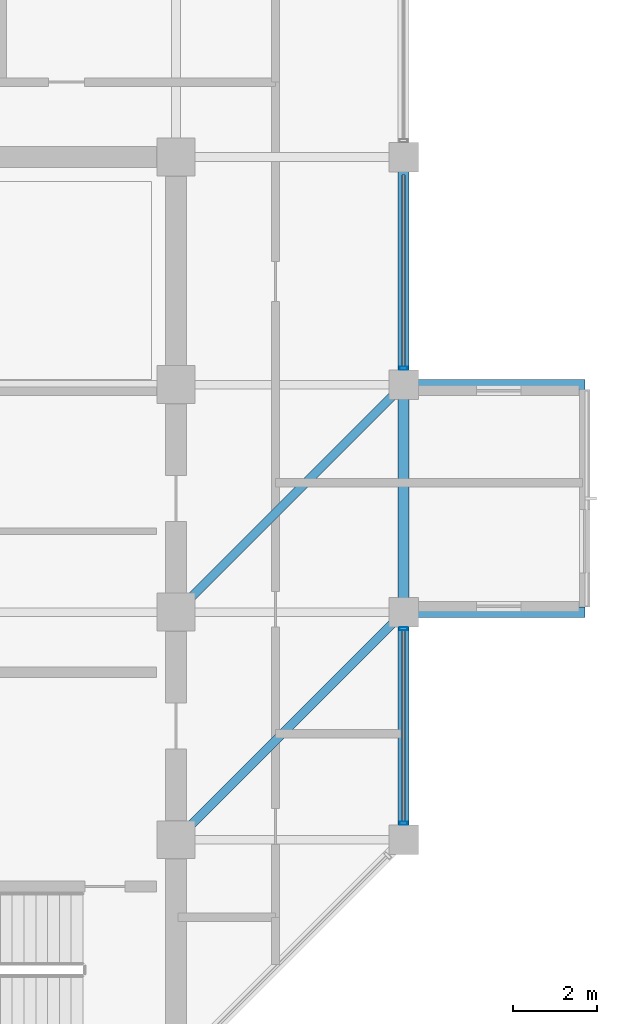
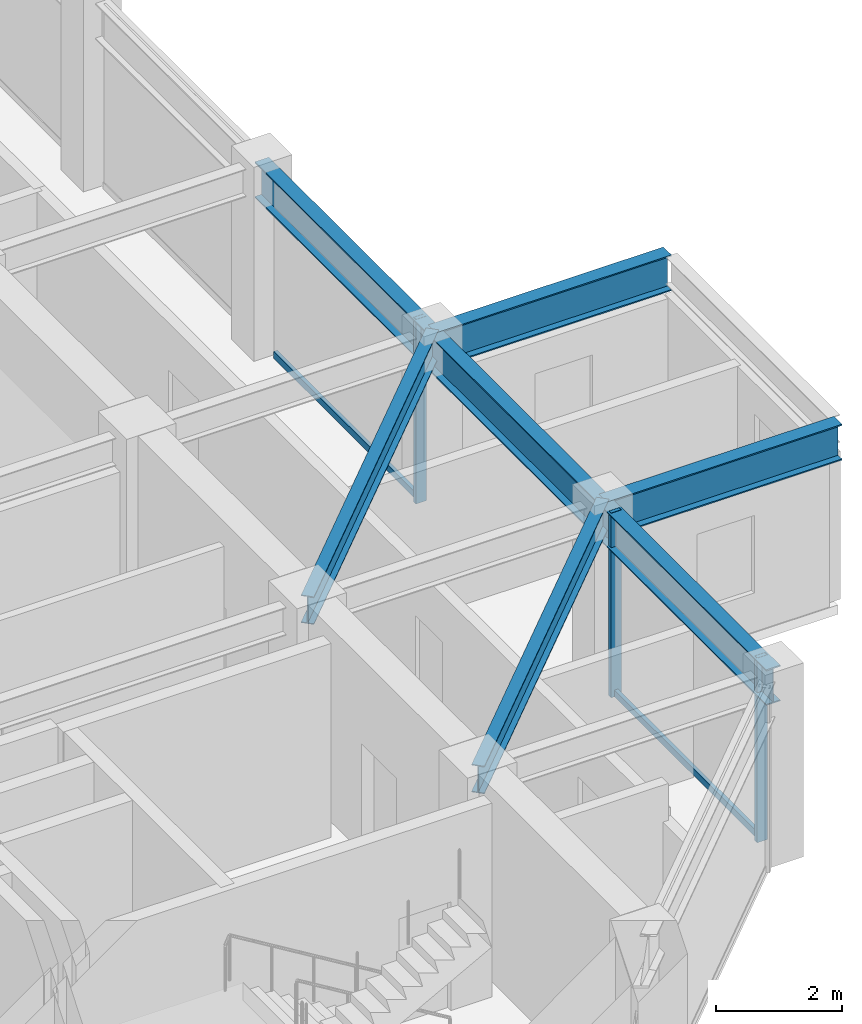
# One storey, part 11 of 30: 7 beams, 5 members, 2 elements without a shape of their own.
"""IFC4 building model written with IfcOpenShell, lengths in metres."""

from ifc_helpers import new_model, si_unit, direction, frame, origin, origin_2d, place, context, subcontext, project, spatial, hollow_rectangle, i_section, extrude, material, layer, layer_set, material_profile, profile_set, type_object, element, aggregate, save


model = new_model("IFC4")

# Units and contexts
model_context = context("Model", 3, precision=1e-05, world=origin(), true_north=direction((0.0, 1.0)))
body_context = subcontext(model_context, "Body", "Model", "MODEL_VIEW")
ifc_project = project(units=[si_unit("LENGTHUNIT", "METRE"), si_unit("AREAUNIT", "SQUARE_METRE"), si_unit("VOLUMEUNIT", "CUBIC_METRE"), si_unit("PLANEANGLEUNIT", "RADIAN"), si_unit("MASSUNIT", "GRAM", prefix="KILO")], contexts=[model_context])

# Site, building, storey
site_placement = place(None, origin())
site = spatial("IfcSite", under=ifc_project, at=site_placement, CompositionType="ELEMENT")
building_placement = place(site_placement, origin())
building = spatial("IfcBuilding", under=site, at=building_placement, Name="Surkhivell Harbour Commons", CompositionType="ELEMENT")
storey_placement = place(building_placement, frame((0.0, 0.0, 307.5)))
storey = spatial("IfcBuildingStorey", under=building, at=storey_placement, Name="L80", CompositionType="ELEMENT", Elevation=307.5)

# Beams
ifc_material_1 = material(Name="Steel S460", Category="steel")
ifc_material_profile_1 = material_profile(ifc_material_1, i_section(OverallWidth=0.256103515625, OverallDepth=0.693115234375, WebThickness=0.014404296875, FlangeThickness=0.023681640625, at=origin_2d()), Name="UB686x254x170")
ifc_profile_set_1 = profile_set([ifc_material_profile_1], Name="Steel S460")
beam_type_1 = type_object("IfcBeamType", Name="BM-CNT-686", PredefinedType="BEAM", material=ifc_profile_set_1)
for number, where, z_axis, x_axis, name in (
    (1, (16.199951171875, 0.0, 3.223388671875), (1.0, 0.0, 0.0), (0.0, 1.0, 0.0), "L80 Box Cantilever Outrigger (16.2,0.0)"),
    (2, (16.199951171875, 5.39990234375, 3.223388671875), (1.0, 0.0, 0.0), (0.0, 1.0, 0.0), "L80 Box Cantilever Outrigger (16.2,5.4)"),
):
    element("IfcBeam", number, at=place(storey_placement, frame(where, z_axis=z_axis, x_axis=x_axis)), inside=storey, type_object=beam_type_1, Name=name, PredefinedType="BEAM", context=body_context, shape_type="SweptSolid", body=[
        extrude(i_section(OverallWidth=0.256103515625, OverallDepth=0.693115234375, WebThickness=0.014404296875, FlangeThickness=0.023681640625, at=origin_2d()), origin(), (0.0, 0.0, 1.0), 4.300048828125),
    ])
ifc_material_2 = material(Name="Steel S355", Category="steel")
ifc_material_profile_2 = material_profile(ifc_material_2, i_section(OverallWidth=0.2099609375, OverallDepth=0.537109375, WebThickness=0.0107421875, FlangeThickness=0.017333984375, at=origin_2d()), Name="UB533x210x101")
ifc_profile_set_2 = profile_set([ifc_material_profile_2], Name="Steel S355")
beam_type_2 = type_object("IfcBeamType", Name="BM-GRD-533B", PredefinedType="BEAM", material=ifc_profile_set_2)
for number, where, z_axis, x_axis, name in (
    (3, (10.800048828125, -5.39990234375, 3.301513671875), (0.707106781187, 0.707106781187, 0.0), (-0.707106781187, 0.707106781187, 0.0), "L80 Floor Girder (10.8,-5.4)"),
    (4, (10.800048828125, 0.0, 3.301513671875), (0.707106781187, 0.707106781187, 0.0), (-0.707106781187, 0.707106781187, 0.0), "L80 Floor Girder (10.8,0.0)"),
):
    element("IfcBeam", number, at=place(storey_placement, frame(where, z_axis=z_axis, x_axis=x_axis)), inside=storey, type_object=beam_type_2, Name=name, PredefinedType="BEAM", context=body_context, shape_type="SweptSolid", body=[
        extrude(i_section(OverallWidth=0.2099609375, OverallDepth=0.537109375, WebThickness=0.0107421875, FlangeThickness=0.017333984375, at=origin_2d()), origin(), (0.0, 0.0, 1.0), 7.63671875),
    ])
ifc_material_profile_3 = material_profile(ifc_material_2, i_section(OverallWidth=0.256103515625, OverallDepth=0.693115234375, WebThickness=0.014404296875, FlangeThickness=0.023681640625, at=origin_2d()), Name="UB686x254x170")
ifc_profile_set_3 = profile_set([ifc_material_profile_3], Name="Steel S355")
beam_type_3 = type_object("IfcBeamType", Name="BM-SPN-686", PredefinedType="SPANDREL", material=ifc_profile_set_3)
for number, where, z_axis, x_axis, name in (
    (5, (16.199951171875, -5.39990234375, 3.223388671875), (0.0, 1.0, 0.0), (-1.0, 0.0, 0.0), "L80 Tube Spandrel (16.2,-5.4)"),
    (6, (16.199951171875, 0.0, 3.223388671875), (0.0, 1.0, 0.0), (-1.0, 0.0, 0.0), "L80 Tube Spandrel (16.2,0.0)"),
):
    element("IfcBeam", number, at=place(storey_placement, frame(where, z_axis=z_axis, x_axis=x_axis)), inside=storey, type_object=beam_type_3, Name=name, PredefinedType="SPANDREL", context=body_context, shape_type="SweptSolid", body=[
        extrude(i_section(OverallWidth=0.256103515625, OverallDepth=0.693115234375, WebThickness=0.014404296875, FlangeThickness=0.023681640625, at=origin_2d()), origin(), (0.0, 0.0, 1.0), 5.39990234375),
    ])
beam_placement = place(storey_placement, frame((16.199951171875, 5.39990234375, 3.223388671875), z_axis=(0.0, 1.0, 0.0), x_axis=(-1.0, 0.0, 0.0)))
element("IfcBeam", 7, at=beam_placement, inside=storey, type_object=beam_type_3, Name="L80 Tube Spandrel (16.2,5.4)", PredefinedType="SPANDREL", context=body_context, shape_type="SweptSolid", body=[
    extrude(i_section(OverallWidth=0.256103515625, OverallDepth=0.693115234375, WebThickness=0.014404296875, FlangeThickness=0.023681640625, at=origin_2d()), origin(), (0.0, 0.0, 1.0), 5.400146484375),
])

# Curtain wall, members
ifc_material_3 = material(Name="Anodised pale-metal aluminium and insulated glazing", Category="aluminium")
ifc_layer = layer(ifc_material_3, 0.175048828125)
ifc_layer_set = layer_set([ifc_layer], Name="Anodised pale-metal aluminium and insulated glazing")
curtain_wall_type = type_object("IfcCurtainWallType", Name="CW-SYS-Z4", PredefinedType="NOTDEFINED", material=ifc_layer_set)
curtain_wall_1_placement = place(storey_placement, origin())
curtain_wall_1 = element("IfcCurtainWall", 8, at=curtain_wall_1_placement, inside=storey, type_object=curtain_wall_type, Name="L80 Curtain Wall CW-L80-E02R1", PredefinedType="NOTDEFINED")
ifc_material_4 = material(Name="Anodised pale-metal aluminium alloy 6063-T6", Category="aluminium")
ifc_material_profile_4 = material_profile(ifc_material_4, hollow_rectangle(XDim=0.074951171875, YDim=0.18994140625, WallThickness=0.00390625, at=origin_2d()), Name="ALU-MULL-75x190")
ifc_profile_set_4 = profile_set([ifc_material_profile_4], Name="Anodised pale-metal aluminium alloy 6063-T6")
member_type_1 = type_object("IfcMemberType", Name="CWM-190", PredefinedType="MULLION", material=ifc_profile_set_4)
member_1_placement = place(storey_placement, frame((16.199951171875, -5.010498046875, 0.0), z_axis=(0.0, 0.0, 1.0), x_axis=(0.0, 1.0, 0.0)))
member_1 = element("IfcMember", 9, at=member_1_placement, type_object=member_type_1, Name="CW-Z4 mullion 1", PredefinedType="MULLION", context=body_context, shape_type="SweptSolid", body=[
    extrude(hollow_rectangle(XDim=0.074951171875, YDim=0.18994140625, WallThickness=0.00390625, at=origin_2d()), origin(), (0.0, 0.0, 1.0), 3.570068359375),
])
member_2_placement = place(storey_placement, frame((16.199951171875, -0.389404296875, 0.0), z_axis=(0.0, 0.0, 1.0), x_axis=(0.0, 1.0, 0.0)))
member_2 = element("IfcMember", 10, at=member_2_placement, type_object=member_type_1, Name="CW-Z4 mullion 2", PredefinedType="MULLION", context=body_context, shape_type="SweptSolid", body=[
    extrude(hollow_rectangle(XDim=0.074951171875, YDim=0.18994140625, WallThickness=0.00390625, at=origin_2d()), origin(), (0.0, 0.0, 1.0), 3.570068359375),
])

# Curtain wall, member
curtain_wall_2_placement = place(storey_placement, origin())
curtain_wall_2 = element("IfcCurtainWall", 11, at=curtain_wall_2_placement, inside=storey, type_object=curtain_wall_type, Name="L80 Curtain Wall CW-L80-E02R2", PredefinedType="NOTDEFINED")
member_3_placement = place(storey_placement, frame((16.199951171875, 5.78955078125, 0.0), z_axis=(0.0, 0.0, 1.0), x_axis=(0.0, 1.0, 0.0)))
member_3 = element("IfcMember", 12, at=member_3_placement, type_object=member_type_1, Name="CW-Z4 mullion 1", PredefinedType="MULLION", context=body_context, shape_type="SweptSolid", body=[
    extrude(hollow_rectangle(XDim=0.074951171875, YDim=0.18994140625, WallThickness=0.00390625, at=origin_2d()), origin(), (0.0, 0.0, 1.0), 3.570068359375),
])

# Member
ifc_material_5 = material(Name="Champagne anodised aluminium alloy 6063-T6", Category="aluminium")
ifc_material_profile_5 = material_profile(ifc_material_5, hollow_rectangle(XDim=0.070068359375, YDim=0.1298828125, WallThickness=0.00341796875, at=origin_2d()), Name="ALU-TRAN-70x130")
ifc_profile_set_5 = profile_set([ifc_material_profile_5], Name="Champagne anodised aluminium alloy 6063-T6")
member_type_2 = type_object("IfcMemberType", Name="CWT-130", PredefinedType="USERDEFINED", material=ifc_profile_set_5)
member_4_placement = place(storey_placement, frame((16.199951171875, -4.972900390625, 0.06494140625), z_axis=(0.0, 1.0, 0.0), x_axis=(-1.0, 0.0, 0.0)))
member_4 = element("IfcMember", 13, at=member_4_placement, type_object=member_type_2, Name="CW-Z4 transom 1.1", ObjectType="TRANSOM", PredefinedType="USERDEFINED", context=body_context, shape_type="SweptSolid", body=[
    extrude(hollow_rectangle(XDim=0.070068359375, YDim=0.1298828125, WallThickness=0.00341796875, at=origin_2d()), origin(), (0.0, 0.0, 1.0), 4.5458984375),
])

aggregate(curtain_wall_1, [member_1, member_2, member_4])

member_5_placement = place(storey_placement, frame((16.199951171875, 5.826904296875, 0.06494140625), z_axis=(0.0, 1.0, 0.0), x_axis=(-1.0, 0.0, 0.0)))
member_5 = element("IfcMember", 14, at=member_5_placement, type_object=member_type_2, Name="CW-Z4 transom 1.1", ObjectType="TRANSOM", PredefinedType="USERDEFINED", context=body_context, shape_type="SweptSolid", body=[
    extrude(hollow_rectangle(XDim=0.070068359375, YDim=0.1298828125, WallThickness=0.00341796875, at=origin_2d()), origin(), (0.0, 0.0, 1.0), 4.546142578125),
])

aggregate(curtain_wall_2, [member_3, member_5])

save(model, "model.ifc")
